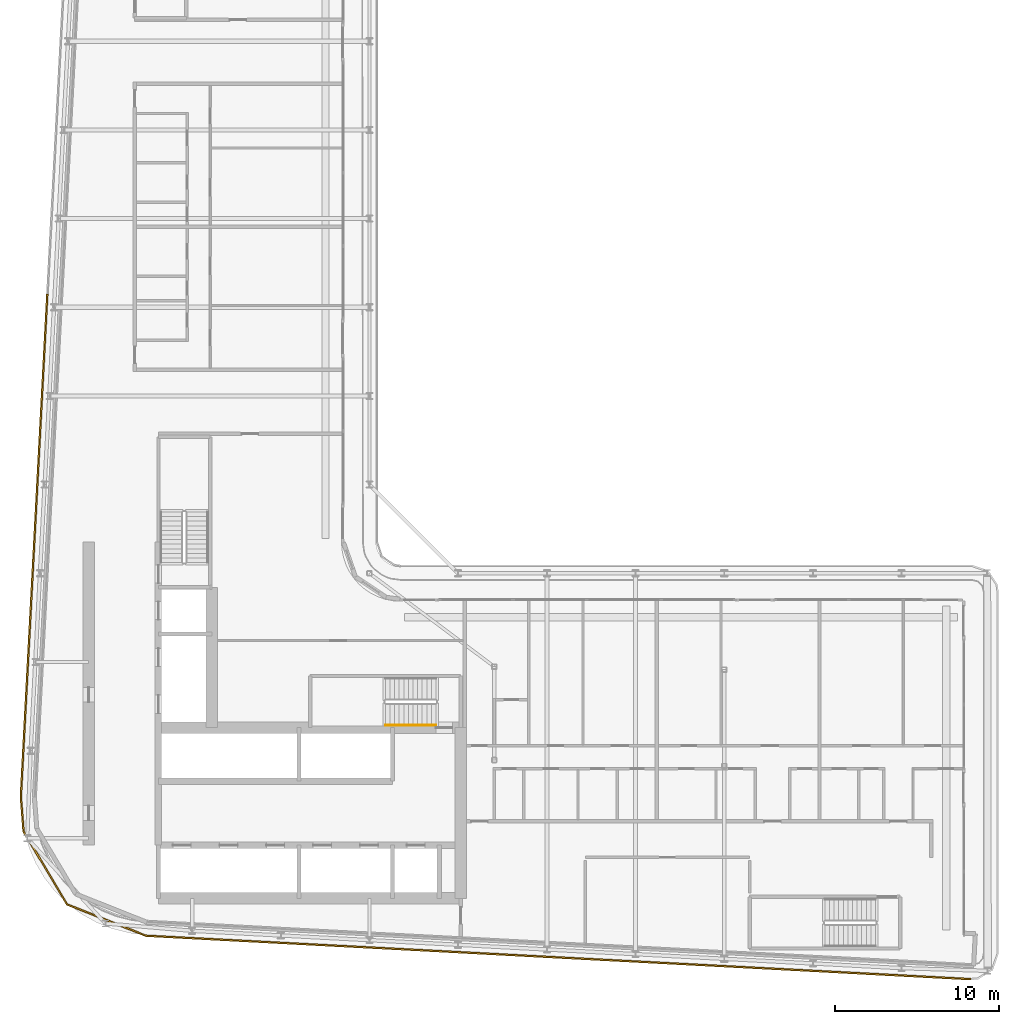
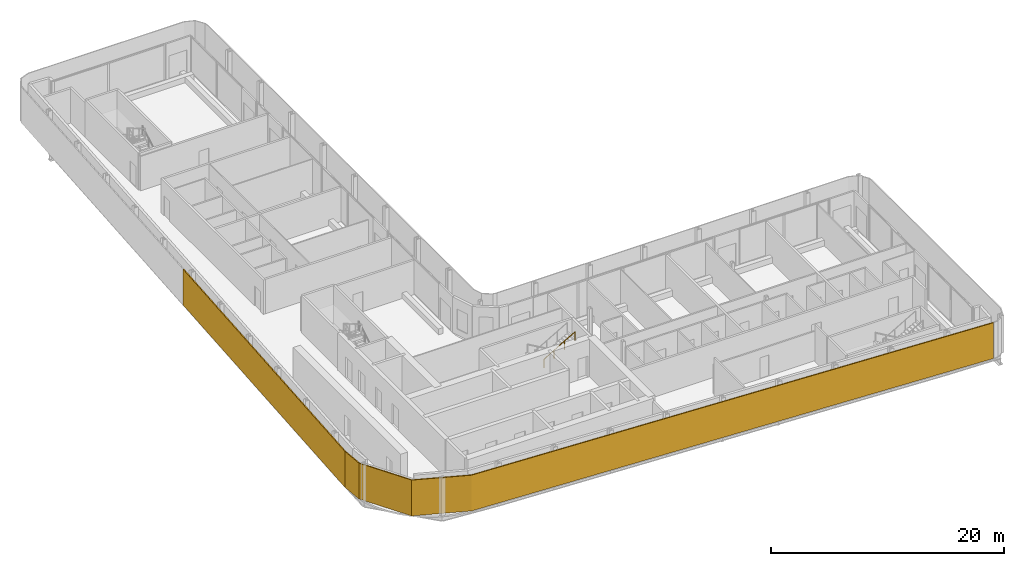
# One storey, part 15 of 21: 2 shading devices, 1 railing.
"""IFC4 building model written with IfcOpenShell, lengths in metres."""

from ifc_helpers import new_model, si_unit, direction, frame, origin, origin_2d, place, context, subcontext, project, spatial, polyline, rectangle, circle, outline, extrude, material, layer, layer_set, type_object, element, save


model = new_model("IFC4")

# Units and contexts
model_context = context("Model", 3, precision=1e-05, world=origin(), true_north=direction((0.0, 1.0)))
body_context = subcontext(model_context, "Body", "Model", "MODEL_VIEW")
ifc_project = project(units=[si_unit("LENGTHUNIT", "METRE"), si_unit("AREAUNIT", "SQUARE_METRE"), si_unit("VOLUMEUNIT", "CUBIC_METRE"), si_unit("PLANEANGLEUNIT", "RADIAN"), si_unit("MASSUNIT", "GRAM", prefix="KILO")], contexts=[model_context])

# Site, building, storey
site_placement = place(None, origin())
site = spatial("IfcSite", under=ifc_project, at=site_placement, CompositionType="ELEMENT")
building_placement = place(site_placement, origin())
building = spatial("IfcBuilding", under=site, at=building_placement, Name="Kheshtan School and Residences Tower", CompositionType="ELEMENT")
storey_placement = place(building_placement, frame((0.0, 0.0, 231.800048828125)))
storey = spatial("IfcBuildingStorey", under=building, at=storey_placement, Name="L54", CompositionType="ELEMENT", Elevation=231.800048828125)

# Shading devices
ifc_material_1 = material(Name="Terracotta baguette, extruded ceramic", Category="masonry")
ifc_layer = layer(ifc_material_1, 0.10009765625)
ifc_layer_set = layer_set([ifc_layer], Name="Ledge screen, terracotta baguettes")
shading_device_type = type_object("IfcShadingDeviceType", Name="Ledge screen, terracotta baguettes", PredefinedType="USERDEFINED", material=ifc_layer_set)
shading_device_1_placement = place(storey_placement, origin())
element("IfcShadingDevice", 1, at=shading_device_1_placement, inside=storey, type_object=shading_device_type, Name="Screen L54 3", ObjectType="BAGUETTE", PredefinedType="USERDEFINED", context=body_context, shape_type="SweptSolid", body=[
    extrude(outline(polyline([(84.220947265625, 20.93603515625), (33.989013671875, 23.580078125), (29.2119140625, 25.486083984375), (26.583984375, 29.906982421875), (26.419921875, 31.989013671875), (26.320068359375, 31.98095703125), (26.486083984375, 29.8759765625), (29.14306640625, 25.406005859375), (33.967041015625, 23.48095703125), (84.216064453125, 20.8359375), (84.220947265625, 20.93603515625)])), origin(), (0.0, 0.0, 1.0), 3.75),
])
shading_device_2_placement = place(storey_placement, frame((27.175048828125, 47.2890625, 0.0), z_axis=(0.0, 0.0, 1.0), x_axis=(0.052562536748, 0.998617634398, 0.0)))
element("IfcShadingDevice", 2, at=shading_device_2_placement, inside=storey, type_object=shading_device_type, Name="Screen L54 4", ObjectType="BAGUETTE", PredefinedType="USERDEFINED", context=body_context, shape_type="SweptSolid", body=[
    extrude(rectangle(XDim=30.636962890625, YDim=0.10009765625, at=origin_2d()), origin(), (0.0, 0.0, 1.0), 3.75),
])

# Railing
ifc_material_2 = material(Name="Stainless steel handrail", Category="steel")
railing_type = type_object("IfcRailingType", Name="Stair handrail 900", PredefinedType="HANDRAIL", material=ifc_material_2)
railing_placement = place(storey_placement, frame((48.570068359375, 36.35009765625, 2.112548828125)))
element("IfcRailing", 3, at=railing_placement, inside=storey, type_object=railing_type, Name="L54 ST1 stair handrail 2", PredefinedType="HANDRAIL", context=body_context, shape_type="SweptSolid", body=[
    extrude(circle(Radius=0.02392578125, at=origin_2d()), frame((0.0, 0.0, 0.8759765625), z_axis=(0.864903211148, 0.0, 0.501938676878), x_axis=(0.0, 1.0, 0.0)), (0.0, 0.0, 1.0), 3.560791015625),
    extrude(circle(Radius=0.02099609375, at=origin_2d()), origin(), (0.0, 0.0, 1.0), 0.851806640625),
    extrude(circle(Radius=0.02099609375, at=origin_2d()), frame((1.026611328125, 0.0, 0.595703125)), (0.0, 0.0, 1.0), 0.851806640625),
    extrude(circle(Radius=0.02099609375, at=origin_2d()), frame((2.05322265625, 0.0, 1.191650390625)), (0.0, 0.0, 1.0), 0.851806640625),
    extrude(circle(Radius=0.02099609375, at=origin_2d()), frame((3.079833984375, 0.0, 1.787353515625)), (0.0, 0.0, 1.0), 0.851806640625),
])

save(model, "model.ifc")
